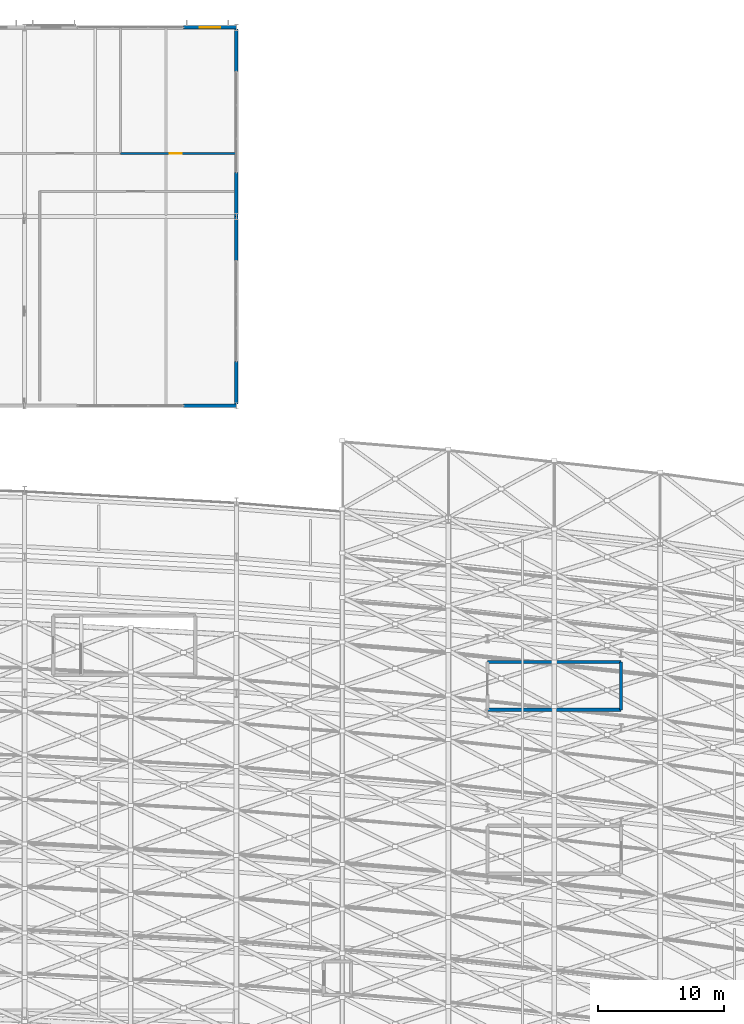
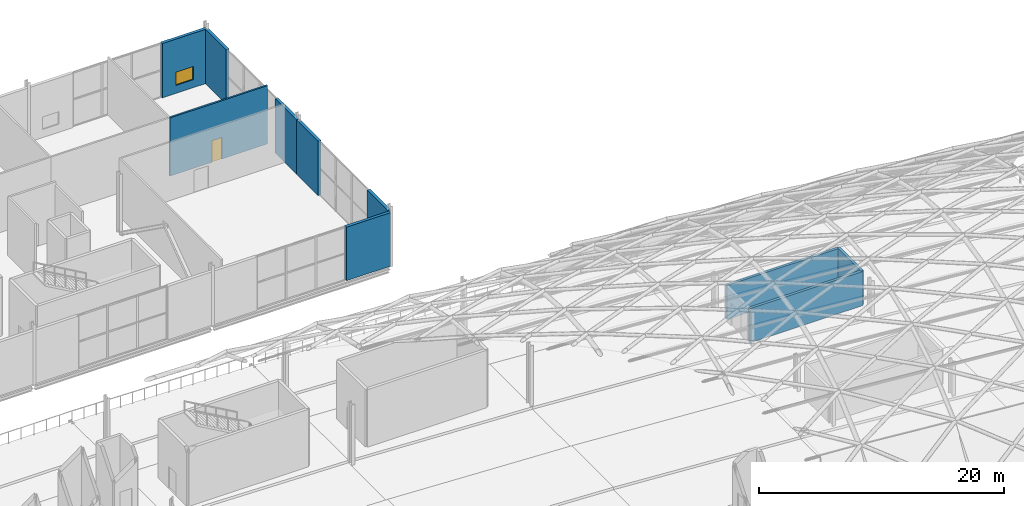
# One storey, part 88 of 100: 10 walls, 1 door, 1 window, 2 openings.
"""IFC4 building model written with IfcOpenShell, lengths in metres."""

from ifc_helpers import new_model, si_unit, direction, frame, frame_2d, origin, place, context, subcontext, project, spatial, rectangle, extrude, material, layer, layer_set, type_object, element, fill, save


model = new_model("IFC4")

# Units and contexts
model_context = context("Model", 3, precision=1e-05, world=origin(), true_north=direction((0.0, 1.0)))
body_context = subcontext(model_context, "Body", "Model", "MODEL_VIEW")
ifc_project = project(units=[si_unit("LENGTHUNIT", "METRE"), si_unit("AREAUNIT", "SQUARE_METRE"), si_unit("VOLUMEUNIT", "CUBIC_METRE"), si_unit("PLANEANGLEUNIT", "RADIAN"), si_unit("MASSUNIT", "GRAM", prefix="KILO")], contexts=[model_context])

# Site, building, storey
site_placement = place(None, origin())
site = spatial("IfcSite", under=ifc_project, at=site_placement, CompositionType="ELEMENT")
building_placement = place(site_placement, origin())
building = spatial("IfcBuilding", under=site, at=building_placement, Name="Kimbaza Rail Terminus", CompositionType="ELEMENT")
storey_placement = place(building_placement, frame((0.0, 0.0, 10.800048828125)))
storey = spatial("IfcBuildingStorey", under=building, at=storey_placement, Name="L02", CompositionType="ELEMENT", Elevation=10.800048828125)

# Wall, opening, window
ifc_material_1 = material(Name="Precast concrete C40/50", Category="concrete")
ifc_layer_1 = layer(ifc_material_1, 0.280029296875)
ifc_layer_set_1 = layer_set([ifc_layer_1], Name="Precast concrete C40/50")
wall_type_1 = type_object("IfcWallType", Name="ARC-WL-EXT280", PredefinedType="STANDARD", material=ifc_layer_set_1)
wall_1_placement = place(storey_placement, frame((151.800048828125, 133.0, 0.0), z_axis=(0.0, 0.0, 1.0), x_axis=(1.0, 0.0, 0.0)))
wall_1 = element("IfcWall", 1, at=wall_1_placement, inside=storey, type_object=wall_type_1, Name="Operations North Pier L02 5B", PredefinedType="STANDARD", context=body_context, shape_type="SweptSolid", body=[
    extrude(rectangle(XDim=4.199951171875, YDim=0.280029296875, at=frame_2d((2.10009765625, 0.0))), origin(), (0.0, 0.0, 1.0), 5.405029296875),
])
opening_1_placement = place(wall_1_placement, frame((1.27001953125, 0.0, 0.800048828125)))
opening_1 = element("IfcOpeningElement", 2, at=opening_1_placement, cuts=wall_1, Name="Opening W-31", PredefinedType="OPENING", context=body_context, shape_type="SweptSolid", body=[
    extrude(rectangle(XDim=1.659912109375, YDim=1.31005859375, at=frame_2d((0.830078125, 0.655029296875))), frame((0.0, 0.14990234375, 0.0), z_axis=(0.0, -1.0, 0.0), x_axis=(1.0, 0.0, 0.0)), (0.0, 0.0, 1.0), 0.300048828125),
])
ifc_material_2 = material(Name="Thermally broken aluminium and solar low-E glass", Category="aluminium")
window_type = type_object("IfcWindowType", Name="ARC-WIN-W-31", PartitioningType="SINGLE_PANEL", PredefinedType="WINDOW", material=ifc_material_2)
window_placement = place(opening_1_placement, origin())
window = element("IfcWindow", 3, at=window_placement, inside=storey, type_object=window_type, Name="North Facade Window W-31", OverallHeight=1.31005859375, OverallWidth=1.659912109375, PartitioningType="SINGLE_PANEL", PredefinedType="WINDOW", context=body_context, shape_type="SweptSolid", body=[
    extrude(rectangle(XDim=1.659912109375, YDim=1.31005859375, at=frame_2d((0.830078125, 0.655029296875))), frame((0.0, 0.030029296875, 0.0), z_axis=(0.0, -1.0, 0.0), x_axis=(1.0, 0.0, 0.0)), (0.0, 0.0, 1.0), 0.06005859375),
])
fill(opening_1, window)

# Walls
wall_2_placement = place(storey_placement, frame((151.800048828125, 103.0, 0.0), z_axis=(0.0, 0.0, 1.0), x_axis=(1.0, 0.0, 0.0)))
element("IfcWall", 4, at=wall_2_placement, inside=storey, type_object=wall_type_1, Name="Operations South Wall L02 5B", PredefinedType="STANDARD", context=body_context, shape_type="SweptSolid", body=[
    extrude(rectangle(XDim=4.199951171875, YDim=0.280029296875, at=frame_2d((2.10009765625, 0.0))), origin(), (0.0, 0.0, 1.0), 5.324951171875),
])
wall_3_placement = place(storey_placement, frame((156.0, 103.139892578125, 0.0), z_axis=(0.0, 0.0, 1.0), x_axis=(0.0, 1.0, 0.0)))
element("IfcWall", 5, at=wall_3_placement, inside=storey, type_object=wall_type_1, Name="Operations E End Pier L02", PredefinedType="STANDARD", context=body_context, shape_type="SweptSolid", body=[
    extrude(rectangle(XDim=3.360107421875, YDim=0.280029296875, at=frame_2d((1.68017578125, 0.0))), origin(), (0.0, 0.0, 1.0), 5.405029296875),
])
for number, where, z_axis, x_axis, name in (
    (6, (156.0, 114.5, 0.0), (0.0, 0.0, 1.0), (0.0, 1.0, 0.0), "Operations E Corner Wall L02"),
    (7, (156.0, 118.0, 0.0), (0.0, 0.0, 1.0), (0.0, 1.0, 0.0), "Operations E End Pier L02"),
):
    element("IfcWall", number, at=place(storey_placement, frame(where, z_axis=z_axis, x_axis=x_axis)), inside=storey, type_object=wall_type_1, Name=name, PredefinedType="STANDARD", context=body_context, shape_type="SweptSolid", body=[
        extrude(rectangle(XDim=3.5, YDim=0.280029296875, at=frame_2d((1.75, 0.0))), origin(), (0.0, 0.0, 1.0), 5.405029296875),
    ])
wall_4_placement = place(storey_placement, frame((156.0, 129.5, 0.0), z_axis=(0.0, 0.0, 1.0), x_axis=(0.0, 1.0, 0.0)))
element("IfcWall", 8, at=wall_4_placement, inside=storey, type_object=wall_type_1, Name="Operations E Corner Wall L02", PredefinedType="STANDARD", context=body_context, shape_type="SweptSolid", body=[
    extrude(rectangle(XDim=3.360107421875, YDim=0.280029296875, at=frame_2d((1.68017578125, 0.0))), origin(), (0.0, 0.0, 1.0), 5.405029296875),
])

# Wall, opening, door
ifc_material_3 = material(Name="Moisture-resistant blockwork C25/30", Category="masonry")
ifc_layer_2 = layer(ifc_material_3, 0.169921875)
ifc_layer_set_2 = layer_set([ifc_layer_2], Name="Moisture-resistant blockwork C25/30")
wall_type_2 = type_object("IfcWallType", Name="ARC-WL-PLMB170", PredefinedType="PLUMBINGWALL", material=ifc_layer_set_2)
wall_5_placement = place(storey_placement, frame((146.800048828125, 123.0, 0.0), z_axis=(0.0, 0.0, 1.0), x_axis=(1.0, 0.0, 0.0)))
wall_5 = element("IfcWall", 9, at=wall_5_placement, inside=storey, type_object=wall_type_2, Name="Technical Staff and Accessible WC Partition (south)", PredefinedType="PLUMBINGWALL", context=body_context, shape_type="SweptSolid", body=[
    extrude(rectangle(XDim=9.179931640625, YDim=0.169921875, at=frame_2d((4.58984375, 0.0))), origin(), (0.0, 0.0, 1.0), 5.800048828125),
])
opening_2_placement = place(wall_5_placement, frame((3.925048828125, 0.0, 0.0)))
opening_2 = element("IfcOpeningElement", 10, at=opening_2_placement, cuts=wall_5, Name="Opening ID-06", PredefinedType="OPENING", context=body_context, shape_type="SweptSolid", body=[
    extrude(rectangle(XDim=0.949951171875, YDim=2.14990234375, at=frame_2d((0.47509765625, 1.074951171875))), frame((0.0, 0.094970703125, 0.0), z_axis=(0.0, -1.0, 0.0), x_axis=(1.0, 0.0, 0.0)), (0.0, 0.0, 1.0), 0.18994140625),
])
ifc_material_4 = material(Name="Accessible washroom outward-capable door", Category="wood")
door_type = type_object("IfcDoorType", Name="ARC-DR-ID095", OperationType="NOTDEFINED", PredefinedType="DOOR", material=ifc_material_4)
door_placement = place(opening_2_placement, origin())
door = element("IfcDoor", 11, at=door_placement, inside=storey, type_object=door_type, Name="IDR-SPC-V5N-L02-06", OperationType="SINGLE_SWING_RIGHT", OverallHeight=2.14990234375, OverallWidth=0.949951171875, PredefinedType="DOOR", context=body_context, shape_type="SweptSolid", body=[
    extrude(rectangle(XDim=0.949951171875, YDim=2.14990234375, at=frame_2d((0.47509765625, 1.074951171875))), frame((0.0, 0.02490234375, 0.0), z_axis=(0.0, -1.0, 0.0), x_axis=(1.0, 0.0, 0.0)), (0.0, 0.0, 1.0), 0.050048828125),
])
fill(opening_2, door)

# Walls
ifc_material_5 = material(Name="Concrete C40/50", Category="concrete")
ifc_layer_3 = layer(ifc_material_5, 0.25)
ifc_layer_set_3 = layer_set([ifc_layer_3], Name="Concrete C40/50")
wall_type_3 = type_object("IfcWallType", Name="STR-WL-CORE250", PredefinedType="SHEAR", material=ifc_layer_set_3)
wall_6_placement = place(storey_placement, frame((175.89990234375, 78.889892578125, 0.0), z_axis=(0.0, 0.0, 1.0), x_axis=(1.0, 0.0, 0.0)))
element("IfcWall", 12, at=wall_6_placement, inside=storey, type_object=wall_type_3, Name="Island Platform 4-5 Air-Conditioned Waiting Lounge 10 Partition (south)", PredefinedType="SHEAR", context=body_context, shape_type="SweptSolid", body=[
    extrude(rectangle(XDim=10.60009765625, YDim=0.25, at=frame_2d((5.300048828125, 0.0))), origin(), (0.0, 0.0, 1.0), 3.39990234375),
])
wall_7_placement = place(storey_placement, frame((186.5, 78.889892578125, 0.0), z_axis=(0.0, 0.0, 1.0), x_axis=(0.0, 1.0, 0.0)))
element("IfcWall", 13, at=wall_7_placement, inside=storey, type_object=wall_type_3, Name="Island Platform 4-5 Air-Conditioned Waiting Lounge 10 Partition (east)", PredefinedType="SHEAR", context=body_context, shape_type="SweptSolid", body=[
    extrude(rectangle(XDim=3.800048828125, YDim=0.25, at=frame_2d((1.89990234375, 0.0))), origin(), (0.0, 0.0, 1.0), 3.39990234375),
])
wall_8_placement = place(storey_placement, frame((186.5, 82.68994140625, 0.0), z_axis=(0.0, 0.0, 1.0), x_axis=(-1.0, 0.0, 0.0)))
element("IfcWall", 14, at=wall_8_placement, inside=storey, type_object=wall_type_3, Name="Island Platform 4-5 Air-Conditioned Waiting Lounge 10 Partition (north)", PredefinedType="SHEAR", context=body_context, shape_type="SweptSolid", body=[
    extrude(rectangle(XDim=10.60009765625, YDim=0.25, at=frame_2d((5.300048828125, 0.0))), origin(), (0.0, 0.0, 1.0), 3.39990234375),
])

save(model, "model.ifc")
